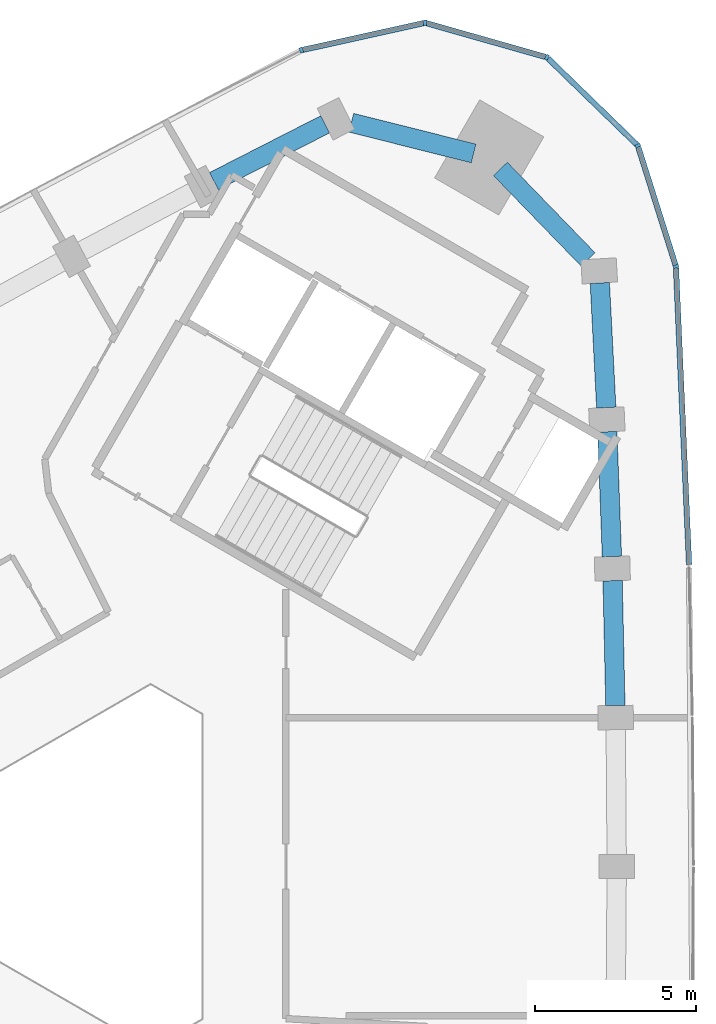
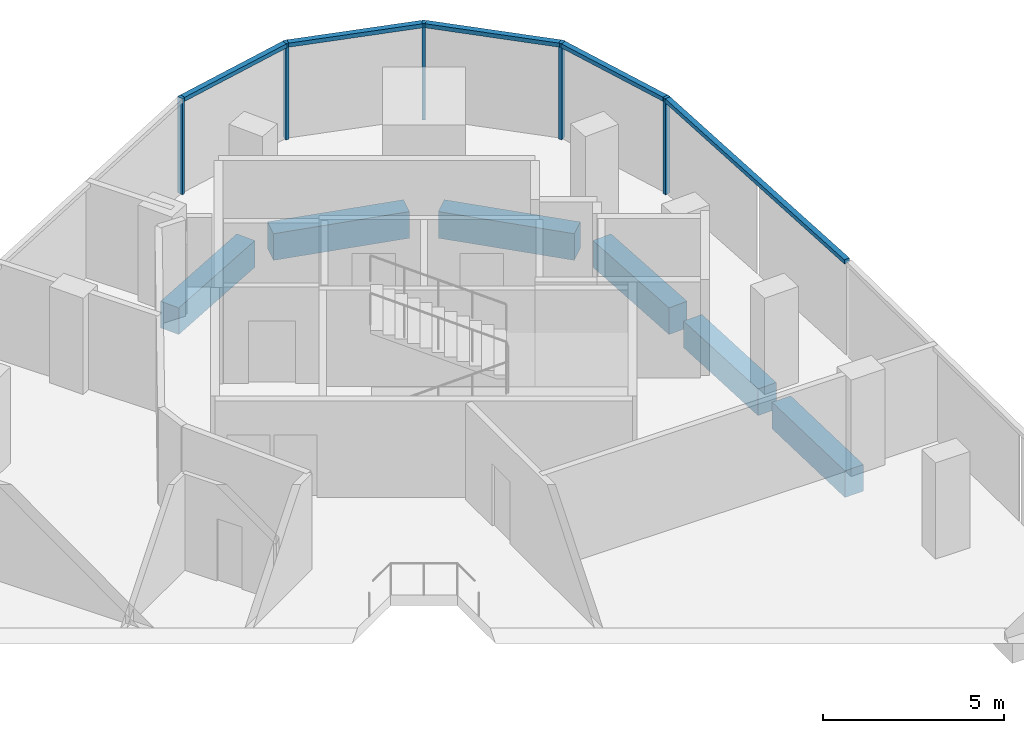
# One storey, part 5 of 11: 10 members, 6 beams, 2 elements without a shape of their own.
"""IFC4 building model written with IfcOpenShell, lengths in metres."""

from ifc_helpers import new_model, si_unit, direction, frame, origin, origin_2d, place, context, subcontext, project, spatial, rectangle, extrude, material, material_profile, profile_set, type_object, element, aggregate, save


model = new_model("IFC4")

# Units and contexts
model_context = context("Model", 3, precision=1e-05, world=origin(), true_north=direction((0.0, 1.0)))
body_context = subcontext(model_context, "Body", "Model", "MODEL_VIEW")
ifc_project = project(units=[si_unit("LENGTHUNIT", "METRE"), si_unit("AREAUNIT", "SQUARE_METRE"), si_unit("VOLUMEUNIT", "CUBIC_METRE"), si_unit("PLANEANGLEUNIT", "RADIAN"), si_unit("MASSUNIT", "GRAM", prefix="KILO")], contexts=[model_context])

# Site, building, storey
site_placement = place(None, origin())
site = spatial("IfcSite", under=ifc_project, at=site_placement, CompositionType="ELEMENT")
building_placement = place(site_placement, origin())
building = spatial("IfcBuilding", under=site, at=building_placement, Name="Tamra Quay Hotel Tower", CompositionType="ELEMENT")
storey_placement = place(building_placement, frame((0.0, 0.0, 246.60009765625)))
storey = spatial("IfcBuildingStorey", under=building, at=storey_placement, Name="L62", CompositionType="ELEMENT", Elevation=246.60009765625)

# Curtain wall, members
ifc_material_1 = material(Name="Aluminium 6063 anodised dark grey", Category="aluminium")
curtain_wall_type_1 = type_object("IfcCurtainWallType", Name="CW1 CURTAIN WALL", PredefinedType="NOTDEFINED", material=ifc_material_1)
curtain_wall_1_placement = place(storey_placement, origin())
curtain_wall_1 = element("IfcCurtainWall", 1, at=curtain_wall_1_placement, inside=storey, type_object=curtain_wall_type_1, Name="CW1 east face L62", PredefinedType="NOTDEFINED")
ifc_material_profile_1 = material_profile(ifc_material_1, rectangle(XDim=0.169921875, YDim=0.10009765625, at=origin_2d()), Name="MULLION 100X170")
ifc_profile_set_1 = profile_set([ifc_material_profile_1], Name="Aluminium 6063 anodised dark grey")
member_type_1 = type_object("IfcMemberType", Name="MULLION CW1 Z5", PredefinedType="MULLION", material=ifc_profile_set_1)
member_1_placement = place(storey_placement, frame((18.50732421875, 18.63037109375, 0.0), z_axis=(0.0, 0.0, 1.0), x_axis=(0.984105369622, 0.177585532857, 0.0)))
member_1 = element("IfcMember", 2, at=member_1_placement, type_object=member_type_1, Name="CW1 mullion L62.E.9", PredefinedType="MULLION", context=body_context, shape_type="SweptSolid", body=[
    extrude(rectangle(XDim=0.169921875, YDim=0.10009765625, at=origin_2d()), origin(), (0.0, 0.0, 1.0), 3.25),
])
member_2_placement = place(storey_placement, frame((17.323974609375, 22.38037109375, 0.0), z_axis=(0.0, 0.0, 1.0), x_axis=(0.851044298206, 0.525093898736, 0.0)))
member_2 = element("IfcMember", 3, at=member_2_placement, type_object=member_type_1, Name="CW1 mullion L62.E.10", PredefinedType="MULLION", context=body_context, shape_type="SweptSolid", body=[
    extrude(rectangle(XDim=0.169921875, YDim=0.10009765625, at=origin_2d()), origin(), (0.0, 0.0, 1.0), 3.25),
])
member_3_placement = place(storey_placement, frame((14.503173828125, 25.1201171875, 0.0), z_axis=(0.0, 0.0, 1.0), x_axis=(0.5, 0.866025403784, 0.0)))
member_3 = element("IfcMember", 4, at=member_3_placement, type_object=member_type_1, Name="CW1 mullion L62.E.11", PredefinedType="MULLION", context=body_context, shape_type="SweptSolid", body=[
    extrude(rectangle(XDim=0.169921875, YDim=0.10009765625, at=origin_2d()), origin(), (0.0, 0.0, 1.0), 3.25),
])
member_4_placement = place(storey_placement, frame((10.719970703125, 26.193359375, 0.0), z_axis=(0.0, 0.0, 1.0), x_axis=(0.029222506575, 0.999572931361, 0.0)))
member_4 = element("IfcMember", 5, at=member_4_placement, type_object=member_type_1, Name="CW1 mullion L62.E.12", PredefinedType="MULLION", context=body_context, shape_type="SweptSolid", body=[
    extrude(rectangle(XDim=0.169921875, YDim=0.10009765625, at=origin_2d()), origin(), (0.0, 0.0, 1.0), 3.25),
])

# Curtain wall, member
curtain_wall_type_2 = type_object("IfcCurtainWallType", Name="CW2 CURTAIN WALL", PredefinedType="NOTDEFINED", material=ifc_material_1)
curtain_wall_2_placement = place(storey_placement, origin())
curtain_wall_2 = element("IfcCurtainWall", 6, at=curtain_wall_2_placement, inside=storey, type_object=curtain_wall_type_2, Name="CW2 north-west face L62", PredefinedType="NOTDEFINED")
ifc_material_profile_2 = material_profile(ifc_material_1, rectangle(XDim=0.169921875, YDim=0.10009765625, at=origin_2d()), Name="MULLION 100X170")
ifc_profile_set_2 = profile_set([ifc_material_profile_2], Name="Aluminium 6063 anodised dark grey")
member_type_2 = type_object("IfcMemberType", Name="MULLION CW2 Z5", PredefinedType="MULLION", material=ifc_profile_set_2)
member_5_placement = place(storey_placement, frame((6.880615234375, 25.343017578125, 0.0), z_axis=(0.0, 0.0, 1.0), x_axis=(-0.338259102012, 0.941053016522, 0.0)))
member_5 = element("IfcMember", 7, at=member_5_placement, type_object=member_type_2, Name="CW2 mullion L62.NW.1", PredefinedType="MULLION", context=body_context, shape_type="SweptSolid", body=[
    extrude(rectangle(XDim=0.169921875, YDim=0.10009765625, at=origin_2d()), origin(), (0.0, 0.0, 1.0), 3.25),
])
aggregate(curtain_wall_2, [member_5])

# Beams
ifc_material_2 = material(Name="Concrete M60", Category="concrete")
ifc_material_profile_3 = material_profile(ifc_material_2, rectangle(XDim=0.60009765625, YDim=0.89990234375, at=origin_2d()), Name="SPANDREL BEAM RC 600x900")
ifc_profile_set_3 = profile_set([ifc_material_profile_3], Name="Concrete M60")
beam_type = type_object("IfcBeamType", Name="SPANDREL BEAM RC 600x900", PredefinedType="SPANDREL", material=ifc_profile_set_3)
beam_1_placement = place(storey_placement, frame((16.626953125, 5.0, -0.800048828125), z_axis=(-0.022047440235, 0.999756925647, 0.0), x_axis=(-0.999756925647, -0.022047440235, 0.0)))
element("IfcBeam", 8, at=beam_1_placement, inside=storey, type_object=beam_type, Name="BM-SP5-005-L62", PredefinedType="SPANDREL", context=body_context, shape_type="SweptSolid", body=[
    extrude(rectangle(XDim=0.60009765625, YDim=0.89990234375, at=origin_2d()), origin(), (0.0, 0.0, 1.0), 3.875732421875),
])
beam_2_placement = place(storey_placement, frame((16.51953125, 9.62451171875, -0.800048828125), z_axis=(-0.036732019634, 0.999325151657, 0.0), x_axis=(-0.999325151657, -0.036732019634, 0.0)))
element("IfcBeam", 9, at=beam_2_placement, inside=storey, type_object=beam_type, Name="BM-SP5-006-L62", PredefinedType="SPANDREL", context=body_context, shape_type="SweptSolid", body=[
    extrude(rectangle(XDim=0.60009765625, YDim=0.89990234375, at=origin_2d()), origin(), (0.0, 0.0, 1.0), 3.875),
])
beam_3_placement = place(storey_placement, frame((16.343994140625, 14.24609375, -0.800048828125), z_axis=(-0.051404854824, 0.998677896471, 0.0), x_axis=(-0.998677896471, -0.051404854824, 0.0)))
element("IfcBeam", 10, at=beam_3_placement, inside=storey, type_object=beam_type, Name="BM-SP5-007-L62", PredefinedType="SPANDREL", context=body_context, shape_type="SweptSolid", body=[
    extrude(rectangle(XDim=0.60009765625, YDim=0.89990234375, at=origin_2d()), origin(), (0.0, 0.0, 1.0), 3.87548828125),
])
beam_4_placement = place(storey_placement, frame((15.781005859375, 18.846435546875, -0.800048828125), z_axis=(-0.69594408001, 0.718095980701, 0.0), x_axis=(-0.718095980701, -0.69594408001, 0.0)))
element("IfcBeam", 11, at=beam_4_placement, inside=storey, type_object=beam_type, Name="BM-SP5-008-L62", PredefinedType="SPANDREL", context=body_context, shape_type="SweptSolid", body=[
    extrude(rectangle(XDim=0.60009765625, YDim=0.89990234375, at=origin_2d()), origin(), (0.0, 0.0, 1.0), 3.91259765625),
])
beam_5_placement = place(storey_placement, frame((12.225830078125, 22.136474609375, -0.800048828125), z_axis=(-0.969848171666, 0.243709917558, 0.0), x_axis=(-0.243709917558, -0.969848171666, 0.0)))
element("IfcBeam", 12, at=beam_5_placement, inside=storey, type_object=beam_type, Name="BM-SP5-009-L62", PredefinedType="SPANDREL", context=body_context, shape_type="SweptSolid", body=[
    extrude(rectangle(XDim=0.60009765625, YDim=0.89990234375, at=origin_2d()), origin(), (0.0, 0.0, 1.0), 3.912841796875),
])
beam_6_placement = place(storey_placement, frame((7.616943359375, 23.0400390625, -0.800048828125), z_axis=(-0.890602550436, -0.454782472349, 0.0), x_axis=(0.454782472349, -0.890602550436, 0.0)))
element("IfcBeam", 13, at=beam_6_placement, inside=storey, type_object=beam_type, Name="BM-SP5-010-L62", PredefinedType="SPANDREL", context=body_context, shape_type="SweptSolid", body=[
    extrude(rectangle(XDim=0.60009765625, YDim=0.89990234375, at=origin_2d()), origin(), (0.0, 0.0, 1.0), 3.87548828125),
])

# Member
ifc_material_profile_4 = material_profile(ifc_material_1, rectangle(XDim=0.169921875, YDim=0.139892578125, at=origin_2d()), Name="TRANSOM 170X140")
ifc_profile_set_4 = profile_set([ifc_material_profile_4], Name="Aluminium 6063 anodised dark grey")
member_type_3 = type_object("IfcMemberType", Name="TRANSOM CW1 Z5", PredefinedType="USERDEFINED", material=ifc_profile_set_4)
member_6_placement = place(storey_placement, frame((18.916259765625, 9.368896484375, 3.179931640625), z_axis=(-0.044086433995, 0.999027720505, 0.0), x_axis=(-0.999027720505, -0.044086433995, 0.0)))
member_6 = element("IfcMember", 14, at=member_6_placement, type_object=member_type_3, Name="CW1 transom L62.E.7", ObjectType="TRANSOM", PredefinedType="USERDEFINED", context=body_context, shape_type="SweptSolid", body=[
    extrude(rectangle(XDim=0.169921875, YDim=0.139892578125, at=origin_2d()), origin(), (0.0, 0.0, 1.0), 9.220458984375),
])

member_7_placement = place(storey_placement, frame((18.4921875, 18.677978515625, 3.179931640625), z_axis=(-0.300878302807, 0.953662543513, 0.0), x_axis=(-0.953662543513, -0.300878302807, 0.0)))
member_7 = element("IfcMember", 15, at=member_7_placement, type_object=member_type_3, Name="CW1 transom L62.E.9", ObjectType="TRANSOM", PredefinedType="USERDEFINED", context=body_context, shape_type="SweptSolid", body=[
    extrude(rectangle(XDim=0.169921875, YDim=0.139892578125, at=origin_2d()), origin(), (0.0, 0.0, 1.0), 3.832275390625),
])

member_8_placement = place(storey_placement, frame((17.2880859375, 22.415283203125, 3.179931640625), z_axis=(-0.717352155518, 0.696710761345, 0.0), x_axis=(-0.696710761345, -0.717352155518, 0.0)))
member_8 = element("IfcMember", 16, at=member_8_placement, type_object=member_type_3, Name="CW1 transom L62.E.10", ObjectType="TRANSOM", PredefinedType="USERDEFINED", context=body_context, shape_type="SweptSolid", body=[
    extrude(rectangle(XDim=0.169921875, YDim=0.139892578125, at=origin_2d()), origin(), (0.0, 0.0, 1.0), 3.832275390625),
])

member_9_placement = place(storey_placement, frame((14.455078125, 25.1337890625, 3.179931640625), z_axis=(-0.962041469084, 0.272903301123, 0.0), x_axis=(-0.272903301123, -0.962041469084, 0.0)))
member_9 = element("IfcMember", 17, at=member_9_placement, type_object=member_type_3, Name="CW1 transom L62.E.11", ObjectType="TRANSOM", PredefinedType="USERDEFINED", context=body_context, shape_type="SweptSolid", body=[
    extrude(rectangle(XDim=0.169921875, YDim=0.139892578125, at=origin_2d()), origin(), (0.0, 0.0, 1.0), 3.83251953125),
])

member_10_placement = place(storey_placement, frame((10.671142578125, 26.182373046875, 3.179931640625), z_axis=(-0.976345686568, -0.216215402598, 0.0), x_axis=(0.216215402598, -0.976345686568, 0.0)))
member_10 = element("IfcMember", 18, at=member_10_placement, type_object=member_type_3, Name="CW1 transom L62.E.12", ObjectType="TRANSOM", PredefinedType="USERDEFINED", context=body_context, shape_type="SweptSolid", body=[
    extrude(rectangle(XDim=0.169921875, YDim=0.139892578125, at=origin_2d()), origin(), (0.0, 0.0, 1.0), 3.832275390625),
])

aggregate(curtain_wall_1, [member_6, member_1, member_7, member_2, member_8, member_3, member_9, member_4, member_10])

save(model, "model.ifc")
